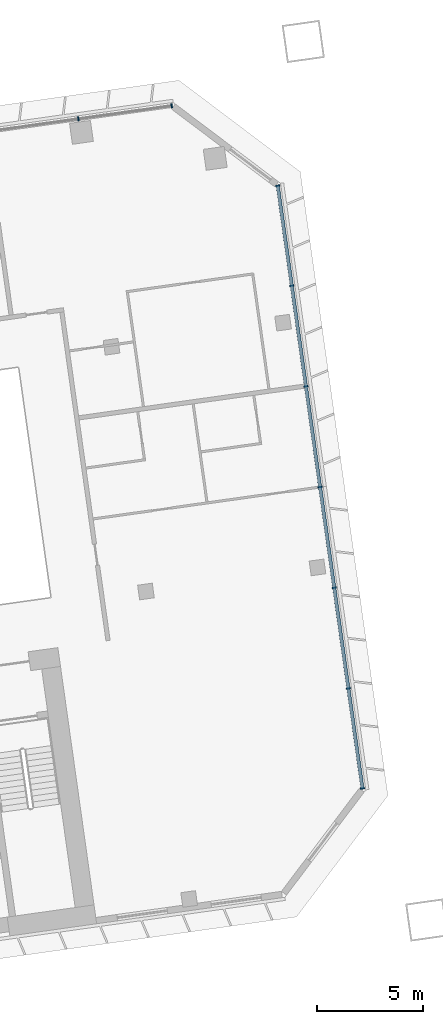
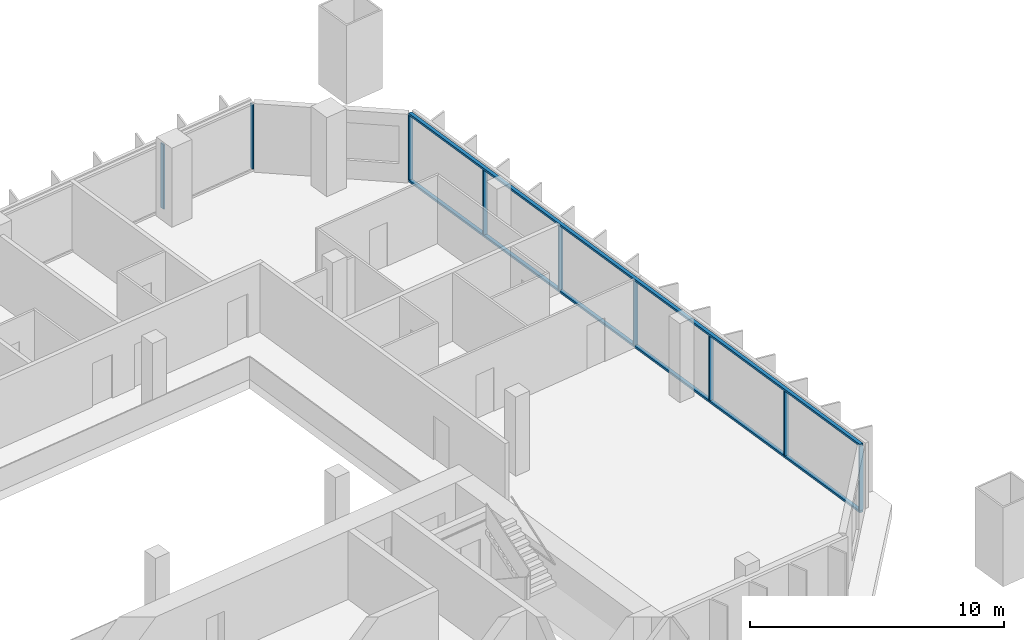
# One storey, part 11 of 24: 11 members, 2 elements without a shape of their own.
"""IFC4 building model written with IfcOpenShell, lengths in metres."""

from ifc_helpers import new_model, si_unit, direction, frame, origin, origin_2d, place, context, subcontext, project, spatial, rectangle, extrude, material, material_profile, profile_set, type_object, element, aggregate, save


model = new_model("IFC4")

# Units and contexts
model_context = context("Model", 3, precision=1e-05, world=origin(), true_north=direction((0.0, 1.0)))
body_context = subcontext(model_context, "Body", "Model", "MODEL_VIEW")
ifc_project = project(units=[si_unit("LENGTHUNIT", "METRE"), si_unit("AREAUNIT", "SQUARE_METRE"), si_unit("VOLUMEUNIT", "CUBIC_METRE"), si_unit("PLANEANGLEUNIT", "RADIAN"), si_unit("MASSUNIT", "GRAM", prefix="KILO")], contexts=[model_context])

# Site, building, storey
site_placement = place(None, origin())
site = spatial("IfcSite", under=ifc_project, at=site_placement, CompositionType="ELEMENT")
building_placement = place(site_placement, origin())
building = spatial("IfcBuilding", under=site, at=building_placement, Name="Mirante Cascada Hotel Towers", CompositionType="ELEMENT")
storey_placement = place(building_placement, frame((0.0, 0.0, 88.9)))
storey = spatial("IfcBuildingStorey", under=building, at=storey_placement, Name="L19", CompositionType="ELEMENT", Elevation=88.9)

# Curtain wall, members
ifc_material_1 = material(Name="Aluminium mullion and transom frame with clear laminated glass", Category="aluminium")
curtain_wall_type_1 = type_object("IfcCurtainWallType", Name="Ribbon curtain wall ECW1", PredefinedType="NOTDEFINED", material=ifc_material_1)
curtain_wall_1_placement = place(storey_placement, origin())
curtain_wall_1 = element("IfcCurtainWall", 1, at=curtain_wall_1_placement, inside=storey, type_object=curtain_wall_type_1, Name="Front ribbon wall T2 L19", PredefinedType="NOTDEFINED")
ifc_material_2 = material(Name="Anodised aluminium extrusion", Category="aluminium")
ifc_material_profile_1 = material_profile(ifc_material_2, rectangle(XDim=0.2, YDim=0.065, at=origin_2d()), Name="ECW1 MULLION 65x200")
ifc_profile_set_1 = profile_set([ifc_material_profile_1], Name="Anodised aluminium extrusion")
member_type_1 = type_object("IfcMemberType", Name="ECW1 mullion 65x200", PredefinedType="MULLION", material=ifc_profile_set_1)
member_1_placement = place(storey_placement, frame((94.126, 26.0476, 0.1), z_axis=(0.0, 0.0, 1.0), x_axis=(0.1391731, -0.9902681, 0.0)))
member_1 = element("IfcMember", 2, at=member_1_placement, type_object=member_type_1, Name="ECW1 mullion 1", PredefinedType="MULLION", context=body_context, shape_type="SweptSolid", body=[
    extrude(rectangle(XDim=0.2, YDim=0.065, at=origin_2d()), origin(), (0.0, 0.0, 1.0), 3.1),
])
member_2_placement = place(storey_placement, frame((89.7107, 25.427, 0.1), z_axis=(0.0, 0.0, 1.0), x_axis=(0.1391731, -0.9902681, 0.0)))
member_2 = element("IfcMember", 3, at=member_2_placement, type_object=member_type_1, Name="ECW1 mullion 2", PredefinedType="MULLION", context=body_context, shape_type="SweptSolid", body=[
    extrude(rectangle(XDim=0.2, YDim=0.065, at=origin_2d()), origin(), (0.0, 0.0, 1.0), 3.1),
])
aggregate(curtain_wall_1, [member_1, member_2])

ifc_material_3 = material(Name="Aluminium mullion and transom frame with clear laminated glass", Category="aluminium")
curtain_wall_type_2 = type_object("IfcCurtainWallType", Name="End ribbon curtain wall ECW2", PredefinedType="NOTDEFINED", material=ifc_material_3)
curtain_wall_2_placement = place(storey_placement, origin())
curtain_wall_2 = element("IfcCurtainWall", 4, at=curtain_wall_2_placement, inside=storey, type_object=curtain_wall_type_2, Name="Outer end wall T2 L19", PredefinedType="NOTDEFINED")
ifc_material_4 = material(Name="Anodised aluminium extrusion", Category="aluminium")
ifc_material_profile_2 = material_profile(ifc_material_4, rectangle(XDim=0.2, YDim=0.065, at=origin_2d()), Name="ECW2 MULLION 65x200")
ifc_profile_set_2 = profile_set([ifc_material_profile_2], Name="Anodised aluminium extrusion")
member_type_2 = type_object("IfcMemberType", Name="ECW2 mullion 65x200", PredefinedType="MULLION", material=ifc_profile_set_2)
member_3_placement = place(storey_placement, frame((103.1556, -6.2656, 0.1), z_axis=(0.0, 0.0, 1.0), x_axis=(-0.9902681, -0.1391731, 0.0)))
member_3 = element("IfcMember", 5, at=member_3_placement, type_object=member_type_2, Name="ECW2 mullion 1", PredefinedType="MULLION", context=body_context, shape_type="SweptSolid", body=[
    extrude(rectangle(XDim=0.2, YDim=0.065, at=origin_2d()), origin(), (0.0, 0.0, 1.0), 3.1),
])
member_4_placement = place(storey_placement, frame((102.4903, -1.532, 0.1), z_axis=(0.0, 0.0, 1.0), x_axis=(-0.9902681, -0.1391731, 0.0)))
member_4 = element("IfcMember", 6, at=member_4_placement, type_object=member_type_2, Name="ECW2 mullion 2", PredefinedType="MULLION", context=body_context, shape_type="SweptSolid", body=[
    extrude(rectangle(XDim=0.2, YDim=0.065, at=origin_2d()), origin(), (0.0, 0.0, 1.0), 3.1),
])
member_5_placement = place(storey_placement, frame((101.8205, 3.2338, 0.1), z_axis=(0.0, 0.0, 1.0), x_axis=(-0.9902681, -0.1391731, 0.0)))
member_5 = element("IfcMember", 7, at=member_5_placement, type_object=member_type_2, Name="ECW2 mullion 3", PredefinedType="MULLION", context=body_context, shape_type="SweptSolid", body=[
    extrude(rectangle(XDim=0.2, YDim=0.065, at=origin_2d()), origin(), (0.0, 0.0, 1.0), 3.1),
])
member_6_placement = place(storey_placement, frame((101.1508, 7.9996, 0.1), z_axis=(0.0, 0.0, 1.0), x_axis=(-0.9902681, -0.1391731, 0.0)))
member_6 = element("IfcMember", 8, at=member_6_placement, type_object=member_type_2, Name="ECW2 mullion 4", PredefinedType="MULLION", context=body_context, shape_type="SweptSolid", body=[
    extrude(rectangle(XDim=0.2, YDim=0.065, at=origin_2d()), origin(), (0.0, 0.0, 1.0), 3.1),
])
member_7_placement = place(storey_placement, frame((100.481, 12.7654, 0.1), z_axis=(0.0, 0.0, 1.0), x_axis=(-0.9902681, -0.1391731, 0.0)))
member_7 = element("IfcMember", 9, at=member_7_placement, type_object=member_type_2, Name="ECW2 mullion 5", PredefinedType="MULLION", context=body_context, shape_type="SweptSolid", body=[
    extrude(rectangle(XDim=0.2, YDim=0.065, at=origin_2d()), origin(), (0.0, 0.0, 1.0), 3.1),
])
member_8_placement = place(storey_placement, frame((99.8112, 17.5312, 0.1), z_axis=(0.0, 0.0, 1.0), x_axis=(-0.9902681, -0.1391731, 0.0)))
member_8 = element("IfcMember", 10, at=member_8_placement, type_object=member_type_2, Name="ECW2 mullion 6", PredefinedType="MULLION", context=body_context, shape_type="SweptSolid", body=[
    extrude(rectangle(XDim=0.2, YDim=0.065, at=origin_2d()), origin(), (0.0, 0.0, 1.0), 3.1),
])
member_9_placement = place(storey_placement, frame((99.1459, 22.2648, 0.1), z_axis=(0.0, 0.0, 1.0), x_axis=(-0.9902681, -0.1391731, 0.0)))
member_9 = element("IfcMember", 11, at=member_9_placement, type_object=member_type_2, Name="ECW2 mullion 7", PredefinedType="MULLION", context=body_context, shape_type="SweptSolid", body=[
    extrude(rectangle(XDim=0.2, YDim=0.065, at=origin_2d()), origin(), (0.0, 0.0, 1.0), 3.1),
])
ifc_material_5 = material(Name="Anodised aluminium extrusion", Category="aluminium")
ifc_material_profile_3 = material_profile(ifc_material_5, rectangle(XDim=0.16, YDim=0.1, at=origin_2d()), Name="ECW2 TRANSOM 100x160")
ifc_profile_set_3 = profile_set([ifc_material_profile_3], Name="Anodised aluminium extrusion")
member_type_3 = type_object("IfcMemberType", Name="ECW2 transom 100x160", PredefinedType="USERDEFINED", material=ifc_profile_set_3)
member_10_placement = place(storey_placement, frame((103.1601, -6.2978, 0.05), z_axis=(-0.1391723, 0.9902682, 0.0), x_axis=(-0.9902682, -0.1391723, 0.0)))
member_10 = element("IfcMember", 12, at=member_10_placement, type_object=member_type_3, Name="ECW2 sill transom", ObjectType="TRANSOM", PredefinedType="USERDEFINED", context=body_context, shape_type="SweptSolid", body=[
    extrude(rectangle(XDim=0.16, YDim=0.1, at=origin_2d()), origin(), (0.0, 0.0, 1.0), 28.8757),
])
member_11_placement = place(storey_placement, frame((103.1601, -6.2978, 3.25), z_axis=(-0.1391723, 0.9902682, 0.0), x_axis=(-0.9902682, -0.1391723, 0.0)))
member_11 = element("IfcMember", 13, at=member_11_placement, type_object=member_type_3, Name="ECW2 head transom", ObjectType="TRANSOM", PredefinedType="USERDEFINED", context=body_context, shape_type="SweptSolid", body=[
    extrude(rectangle(XDim=0.16, YDim=0.1, at=origin_2d()), origin(), (0.0, 0.0, 1.0), 28.8757),
])
aggregate(curtain_wall_2, [member_10, member_11, member_3, member_4, member_5, member_6, member_7, member_8, member_9])

save(model, "model.ifc")
